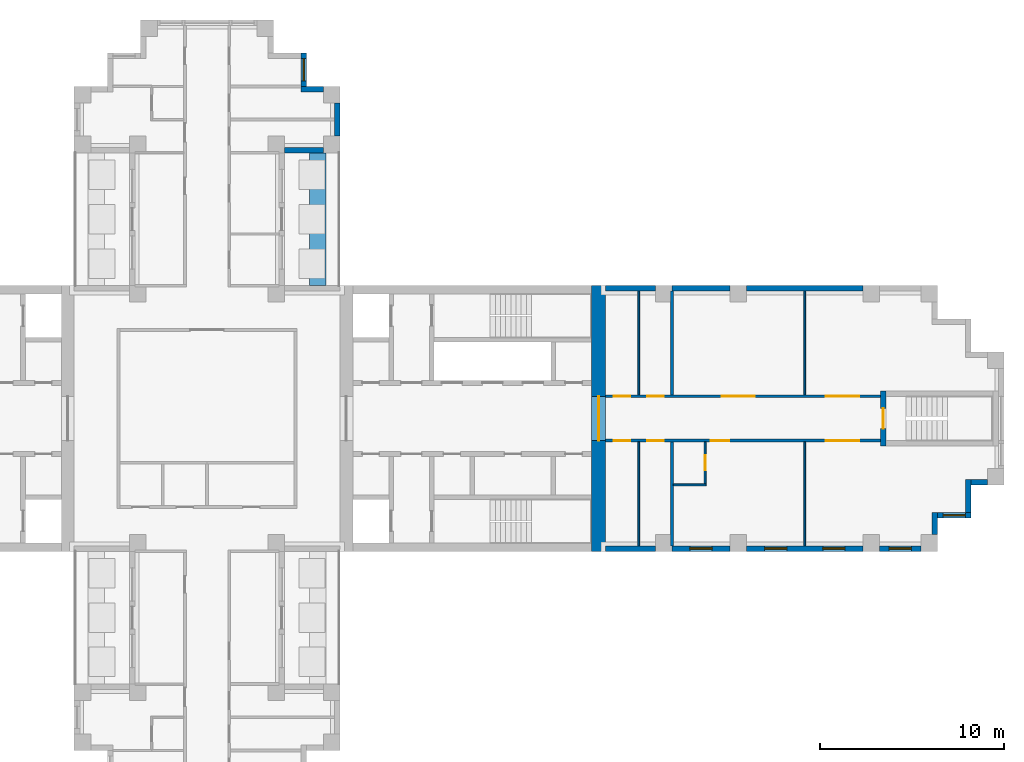
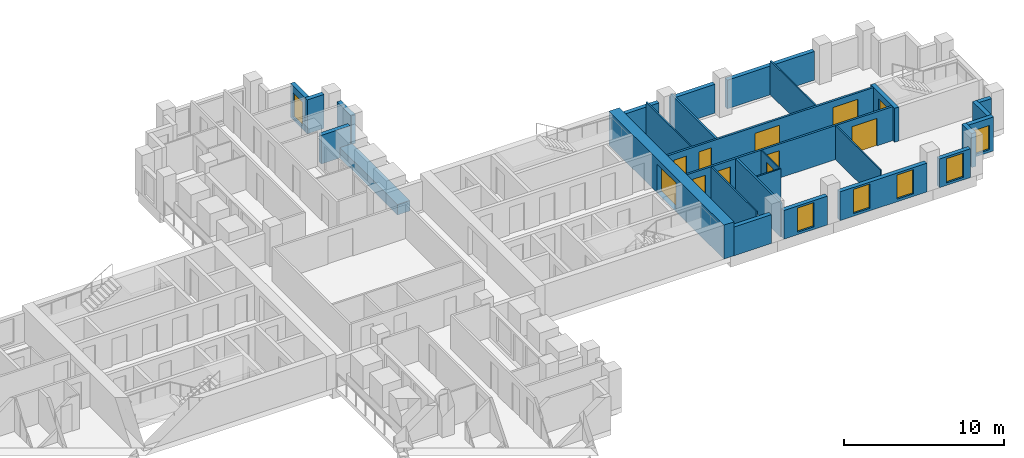
# One storey, part 8 of 11: 28 walls, 11 doors, 6 windows, 17 openings.
"""IFC4 building model written with IfcOpenShell, lengths in metres."""

from ifc_helpers import new_model, si_unit, direction, frame, frame_2d, origin, place, context, subcontext, project, spatial, rectangle, extrude, material, layer, layer_set, type_object, element, fill, save


model = new_model("IFC4")

# Units and contexts
model_context = context("Model", 3, precision=1e-05, world=origin(), true_north=direction((0.0, 1.0)))
body_context = subcontext(model_context, "Body", "Model", "MODEL_VIEW")
ifc_project = project(units=[si_unit("LENGTHUNIT", "METRE"), si_unit("AREAUNIT", "SQUARE_METRE"), si_unit("VOLUMEUNIT", "CUBIC_METRE"), si_unit("PLANEANGLEUNIT", "RADIAN"), si_unit("MASSUNIT", "GRAM", prefix="KILO")], contexts=[model_context])

# Site, building, storey
site_placement = place(None, origin())
site = spatial("IfcSite", under=ifc_project, at=site_placement, CompositionType="ELEMENT")
building_placement = place(site_placement, origin())
building = spatial("IfcBuilding", under=site, at=building_placement, Name="Fustian Cross Tower", CompositionType="ELEMENT")
storey_placement = place(building_placement, frame((0.0, 0.0, 126.300048828125)))
storey = spatial("IfcBuildingStorey", under=building, at=storey_placement, Name="L39", CompositionType="ELEMENT", Elevation=126.300048828125)

# Wall, openings, doors
ifc_material_1 = material(Name="Plasterboard on steel stud", Category="steel")
ifc_layer_1 = layer(ifc_material_1, 0.14990234375)
ifc_layer_set_1 = layer_set([ifc_layer_1], Name="Plasterboard on steel stud")
wall_type_1 = type_object("IfcWallType", Name="COMPARTMENT WALL 150 EI 60", PredefinedType="PARTITIONING", material=ifc_layer_set_1)
wall_1_placement = place(storey_placement, frame((21.60009765625, -1.199951171875, 0.0), z_axis=(0.0, 0.0, 1.0), x_axis=(1.0, 0.0, 0.0)))
wall_1 = element("IfcWall", 1, at=wall_1_placement, inside=storey, type_object=wall_type_1, Name="Partition 49", PredefinedType="PARTITIONING", context=body_context, shape_type="SweptSolid", body=[
    extrude(rectangle(XDim=14.89990234375, YDim=0.14990234375, at=frame_2d((7.449951171875, 0.0))), origin(), (0.0, 0.0, 1.0), 2.599853515625),
])
opening_1_placement = place(wall_1_placement, frame((0.449951171875, 0.0, 0.0)))
opening_1 = element("IfcOpeningElement", 2, at=opening_1_placement, cuts=wall_1, Name="Opening D18009", PredefinedType="OPENING", context=body_context, shape_type="SweptSolid", body=[
    extrude(rectangle(XDim=0.89990234375, YDim=2.10009765625, at=frame_2d((0.449951171875, 1.050048828125))), frame((0.0, 0.0849609375, 0.0), z_axis=(0.0, -1.0, 0.0), x_axis=(1.0, 0.0, 0.0)), (0.0, 0.0, 1.0), 0.169921875),
])
opening_2_placement = place(wall_1_placement, frame((2.25, 0.0, 0.0)))
opening_2 = element("IfcOpeningElement", 3, at=opening_2_placement, cuts=wall_1, Name="Opening D18010", PredefinedType="OPENING", context=body_context, shape_type="SweptSolid", body=[
    extrude(rectangle(XDim=0.89990234375, YDim=2.10009765625, at=frame_2d((0.449951171875, 1.050048828125))), frame((0.0, 0.0849609375, 0.0), z_axis=(0.0, -1.0, 0.0), x_axis=(1.0, 0.0, 0.0)), (0.0, 0.0, 1.0), 0.169921875),
])
opening_3_placement = place(wall_1_placement, frame((5.7099609375, 0.0, 0.0)))
opening_3 = element("IfcOpeningElement", 4, at=opening_3_placement, cuts=wall_1, Name="Opening D18012", PredefinedType="OPENING", context=body_context, shape_type="SweptSolid", body=[
    extrude(rectangle(XDim=1.0, YDim=2.10009765625, at=frame_2d((0.5, 1.050048828125))), frame((0.0, 0.0849609375, 0.0), z_axis=(0.0, -1.0, 0.0), x_axis=(1.0, 0.0, 0.0)), (0.0, 0.0, 1.0), 0.169921875),
])
opening_4_placement = place(wall_1_placement, frame((11.949951171875, 0.0, 0.0)))
opening_4 = element("IfcOpeningElement", 5, at=opening_4_placement, cuts=wall_1, Name="Opening D18013", PredefinedType="OPENING", context=body_context, shape_type="SweptSolid", body=[
    extrude(rectangle(XDim=1.800048828125, YDim=2.10009765625, at=frame_2d((0.89990234375, 1.050048828125))), frame((0.0, 0.0849609375, 0.0), z_axis=(0.0, -1.0, 0.0), x_axis=(1.0, 0.0, 0.0)), (0.0, 0.0, 1.0), 0.169921875),
])
ifc_material_2 = material(Name="Timber fire door set", Category="wood")
door_type_1 = type_object("IfcDoorType", Name="FIRE DOUBLE DOOR 1800 FD30S", OperationType="DOUBLE_DOOR_DOUBLE_SWING", PredefinedType="DOOR", material=ifc_material_2)
door_1_placement = place(opening_4_placement, origin())
door_1 = element("IfcDoor", 6, at=door_1_placement, inside=storey, type_object=door_type_1, Name="Door D18013", OperationType="DOUBLE_DOOR_DOUBLE_SWING", OverallHeight=2.10009765625, OverallWidth=1.800048828125, PredefinedType="DOOR", context=body_context, shape_type="SweptSolid", body=[
    extrude(rectangle(XDim=1.800048828125, YDim=2.10009765625, at=frame_2d((0.89990234375, 1.050048828125))), frame((0.0, 0.02490234375, 0.0), z_axis=(0.0, -1.0, 0.0), x_axis=(1.0, 0.0, 0.0)), (0.0, 0.0, 1.0), 0.050048828125),
])
fill(opening_4, door_1)
ifc_material_3 = material(Name="Timber fire door set", Category="wood")
door_type_2 = type_object("IfcDoorType", Name="FIRE SWING DOOR 1000 FD30S", OperationType="SINGLE_SWING_LEFT", PredefinedType="DOOR", material=ifc_material_3)
door_2_placement = place(opening_3_placement, frame((1.0, 0.0, 0.0), z_axis=(0.0, 0.0, 1.0), x_axis=(-1.0, 0.0, 0.0)))
door_2 = element("IfcDoor", 7, at=door_2_placement, inside=storey, type_object=door_type_2, Name="Door D18012", OperationType="SINGLE_SWING_RIGHT", OverallHeight=2.10009765625, OverallWidth=1.0, PredefinedType="DOOR", context=body_context, shape_type="SweptSolid", body=[
    extrude(rectangle(XDim=1.0, YDim=2.10009765625, at=frame_2d((0.5, 1.050048828125))), frame((0.0, 0.02490234375, 0.0), z_axis=(0.0, -1.0, 0.0), x_axis=(1.0, 0.0, 0.0)), (0.0, 0.0, 1.0), 0.050048828125),
])
fill(opening_3, door_2)
ifc_material_4 = material(Name="Timber fire door set", Category="wood")
door_type_3 = type_object("IfcDoorType", Name="FIRE SWING DOOR 900 FD30S", OperationType="SINGLE_SWING_LEFT", PredefinedType="DOOR", material=ifc_material_4)
door_3_placement = place(opening_1_placement, frame((0.89990234375, 0.0, 0.0), z_axis=(0.0, 0.0, 1.0), x_axis=(-1.0, 0.0, 0.0)))
door_3 = element("IfcDoor", 8, at=door_3_placement, inside=storey, type_object=door_type_3, Name="Door D18009", OperationType="SINGLE_SWING_LEFT", OverallHeight=2.10009765625, OverallWidth=0.89990234375, PredefinedType="DOOR", context=body_context, shape_type="SweptSolid", body=[
    extrude(rectangle(XDim=0.89990234375, YDim=2.10009765625, at=frame_2d((0.449951171875, 1.050048828125))), frame((0.0, 0.02490234375, 0.0), z_axis=(0.0, -1.0, 0.0), x_axis=(1.0, 0.0, 0.0)), (0.0, 0.0, 1.0), 0.050048828125),
])
fill(opening_1, door_3)
door_4_placement = place(opening_2_placement, frame((0.89990234375, 0.0, 0.0), z_axis=(0.0, 0.0, 1.0), x_axis=(-1.0, 0.0, 0.0)))
door_4 = element("IfcDoor", 9, at=door_4_placement, inside=storey, type_object=door_type_3, Name="Door D18010", OperationType="SINGLE_SWING_LEFT", OverallHeight=2.10009765625, OverallWidth=0.89990234375, PredefinedType="DOOR", context=body_context, shape_type="SweptSolid", body=[
    extrude(rectangle(XDim=0.89990234375, YDim=2.10009765625, at=frame_2d((0.449951171875, 1.050048828125))), frame((0.0, 0.02490234375, 0.0), z_axis=(0.0, -1.0, 0.0), x_axis=(1.0, 0.0, 0.0)), (0.0, 0.0, 1.0), 0.050048828125),
])
fill(opening_2, door_4)

wall_2_placement = place(storey_placement, frame((21.60009765625, 1.199951171875, 0.0), z_axis=(0.0, 0.0, 1.0), x_axis=(1.0, 0.0, 0.0)))
wall_2 = element("IfcWall", 10, at=wall_2_placement, inside=storey, type_object=wall_type_1, Name="Partition 50", PredefinedType="PARTITIONING", context=body_context, shape_type="SweptSolid", body=[
    extrude(rectangle(XDim=14.89990234375, YDim=0.14990234375, at=frame_2d((7.449951171875, 0.0))), origin(), (0.0, 0.0, 1.0), 2.599853515625),
])
opening_5_placement = place(wall_2_placement, frame((0.449951171875, 0.0, 0.0)))
opening_5 = element("IfcOpeningElement", 11, at=opening_5_placement, cuts=wall_2, Name="Opening D18005", PredefinedType="OPENING", context=body_context, shape_type="SweptSolid", body=[
    extrude(rectangle(XDim=0.89990234375, YDim=2.10009765625, at=frame_2d((0.449951171875, 1.050048828125))), frame((0.0, 0.0849609375, 0.0), z_axis=(0.0, -1.0, 0.0), x_axis=(1.0, 0.0, 0.0)), (0.0, 0.0, 1.0), 0.169921875),
])
opening_6_placement = place(wall_2_placement, frame((2.25, 0.0, 0.0)))
opening_6 = element("IfcOpeningElement", 12, at=opening_6_placement, cuts=wall_2, Name="Opening D18006", PredefinedType="OPENING", context=body_context, shape_type="SweptSolid", body=[
    extrude(rectangle(XDim=0.89990234375, YDim=2.10009765625, at=frame_2d((0.449951171875, 1.050048828125))), frame((0.0, 0.0849609375, 0.0), z_axis=(0.0, -1.0, 0.0), x_axis=(1.0, 0.0, 0.0)), (0.0, 0.0, 1.0), 0.169921875),
])
opening_7_placement = place(wall_2_placement, frame((6.300048828125, 0.0, 0.0)))
opening_7 = element("IfcOpeningElement", 13, at=opening_7_placement, cuts=wall_2, Name="Opening D18007", PredefinedType="OPENING", context=body_context, shape_type="SweptSolid", body=[
    extrude(rectangle(XDim=1.800048828125, YDim=2.10009765625, at=frame_2d((0.89990234375, 1.050048828125))), frame((0.0, 0.0849609375, 0.0), z_axis=(0.0, -1.0, 0.0), x_axis=(1.0, 0.0, 0.0)), (0.0, 0.0, 1.0), 0.169921875),
])
opening_8_placement = place(wall_2_placement, frame((11.949951171875, 0.0, 0.0)))
opening_8 = element("IfcOpeningElement", 14, at=opening_8_placement, cuts=wall_2, Name="Opening D18008", PredefinedType="OPENING", context=body_context, shape_type="SweptSolid", body=[
    extrude(rectangle(XDim=1.800048828125, YDim=2.10009765625, at=frame_2d((0.89990234375, 1.050048828125))), frame((0.0, 0.0849609375, 0.0), z_axis=(0.0, -1.0, 0.0), x_axis=(1.0, 0.0, 0.0)), (0.0, 0.0, 1.0), 0.169921875),
])
door_5_placement = place(opening_7_placement, frame((1.800048828125, 0.0, 0.0), z_axis=(0.0, 0.0, 1.0), x_axis=(-1.0, 0.0, 0.0)))
door_5 = element("IfcDoor", 15, at=door_5_placement, inside=storey, type_object=door_type_1, Name="Door D18007", OperationType="DOUBLE_DOOR_DOUBLE_SWING", OverallHeight=2.10009765625, OverallWidth=1.800048828125, PredefinedType="DOOR", context=body_context, shape_type="SweptSolid", body=[
    extrude(rectangle(XDim=1.800048828125, YDim=2.10009765625, at=frame_2d((0.89990234375, 1.050048828125))), frame((0.0, 0.02490234375, 0.0), z_axis=(0.0, -1.0, 0.0), x_axis=(1.0, 0.0, 0.0)), (0.0, 0.0, 1.0), 0.050048828125),
])
fill(opening_7, door_5)
door_6_placement = place(opening_8_placement, frame((1.800048828125, 0.0, 0.0), z_axis=(0.0, 0.0, 1.0), x_axis=(-1.0, 0.0, 0.0)))
door_6 = element("IfcDoor", 16, at=door_6_placement, inside=storey, type_object=door_type_1, Name="Door D18008", OperationType="DOUBLE_DOOR_DOUBLE_SWING", OverallHeight=2.10009765625, OverallWidth=1.800048828125, PredefinedType="DOOR", context=body_context, shape_type="SweptSolid", body=[
    extrude(rectangle(XDim=1.800048828125, YDim=2.10009765625, at=frame_2d((0.89990234375, 1.050048828125))), frame((0.0, 0.02490234375, 0.0), z_axis=(0.0, -1.0, 0.0), x_axis=(1.0, 0.0, 0.0)), (0.0, 0.0, 1.0), 0.050048828125),
])
fill(opening_8, door_6)
door_7_placement = place(opening_5_placement, origin())
door_7 = element("IfcDoor", 17, at=door_7_placement, inside=storey, type_object=door_type_3, Name="Door D18005", OperationType="SINGLE_SWING_RIGHT", OverallHeight=2.10009765625, OverallWidth=0.89990234375, PredefinedType="DOOR", context=body_context, shape_type="SweptSolid", body=[
    extrude(rectangle(XDim=0.89990234375, YDim=2.10009765625, at=frame_2d((0.449951171875, 1.050048828125))), frame((0.0, 0.02490234375, 0.0), z_axis=(0.0, -1.0, 0.0), x_axis=(1.0, 0.0, 0.0)), (0.0, 0.0, 1.0), 0.050048828125),
])
fill(opening_5, door_7)
door_8_placement = place(opening_6_placement, origin())
door_8 = element("IfcDoor", 18, at=door_8_placement, inside=storey, type_object=door_type_3, Name="Door D18006", OperationType="SINGLE_SWING_RIGHT", OverallHeight=2.10009765625, OverallWidth=0.89990234375, PredefinedType="DOOR", context=body_context, shape_type="SweptSolid", body=[
    extrude(rectangle(XDim=0.89990234375, YDim=2.10009765625, at=frame_2d((0.449951171875, 1.050048828125))), frame((0.0, 0.02490234375, 0.0), z_axis=(0.0, -1.0, 0.0), x_axis=(1.0, 0.0, 0.0)), (0.0, 0.0, 1.0), 0.050048828125),
])
fill(opening_6, door_8)

# Walls
for number, where, z_axis, x_axis, name in (
    (19, (25.199951171875, -6.89990234375, 0.0), (0.0, 0.0, 1.0), (0.0, 1.0, 0.0), "Partition 53"),
    (20, (25.199951171875, 1.27490234375, 0.0), (0.0, 0.0, 1.0), (0.0, 1.0, 0.0), "Partition 55"),
):
    element("IfcWall", number, at=place(storey_placement, frame(where, z_axis=z_axis, x_axis=x_axis)), inside=storey, type_object=wall_type_1, Name=name, PredefinedType="PARTITIONING", context=body_context, shape_type="SweptSolid", body=[
        extrude(rectangle(XDim=5.625, YDim=0.14990234375, at=frame_2d((2.8125, 0.0))), origin(), (0.0, 0.0, 1.0), 2.599853515625),
    ])

# Wall, opening, door
ifc_material_5 = material(Name="Concrete C60/75", Category="concrete")
ifc_layer_2 = layer(ifc_material_5, 0.75)
ifc_layer_set_2 = layer_set([ifc_layer_2], Name="Concrete C60/75")
wall_type_2 = type_object("IfcWallType", Name="CORE END WALL 750 C60/75", PredefinedType="SHEAR", material=ifc_layer_set_2)
wall_3_placement = place(storey_placement, frame((21.22509765625, -7.199951171875, 0.0), z_axis=(0.0, 0.0, 1.0), x_axis=(0.0, 1.0, 0.0)))
wall_3 = element("IfcWall", 21, at=wall_3_placement, inside=storey, type_object=wall_type_2, Name="Core end wall", PredefinedType="SHEAR", context=body_context, shape_type="SweptSolid", body=[
    extrude(rectangle(XDim=14.39990234375, YDim=0.75, at=frame_2d((7.199951171875, 0.0))), origin(), (0.0, 0.0, 1.0), 2.599853515625),
])
opening_9_placement = place(wall_3_placement, frame((6.0, 0.0, 0.0)))
opening_9 = element("IfcOpeningElement", 22, at=opening_9_placement, cuts=wall_3, Name="Opening CD-16-13", PredefinedType="OPENING", context=body_context, shape_type="SweptSolid", body=[
    extrude(rectangle(XDim=2.39990234375, YDim=2.199951171875, at=frame_2d((1.199951171875, 1.10009765625))), frame((0.0, 0.385009765625, 0.0), z_axis=(0.0, -1.0, 0.0), x_axis=(1.0, 0.0, 0.0)), (0.0, 0.0, 1.0), 0.77001953125),
])
ifc_material_6 = material(Name="Steel", Category="steel")
door_type_4 = type_object("IfcDoorType", Name="FIRE DOOR FD30S DOUBLE 2400X2200", OperationType="DOUBLE_DOOR_DOUBLE_SWING", PredefinedType="DOOR", material=ifc_material_6)
door_9_placement = place(opening_9_placement, origin())
door_9 = element("IfcDoor", 23, at=door_9_placement, inside=storey, type_object=door_type_4, Name="Core door CD-16-13", OperationType="DOUBLE_DOOR_DOUBLE_SWING", OverallHeight=2.199951171875, OverallWidth=2.39990234375, PredefinedType="DOOR", context=body_context, shape_type="SweptSolid", body=[
    extrude(rectangle(XDim=2.39990234375, YDim=2.199951171875, at=frame_2d((1.199951171875, 1.10009765625))), frame((0.0, 0.02490234375, 0.0), z_axis=(0.0, -1.0, 0.0), x_axis=(1.0, 0.0, 0.0)), (0.0, 0.0, 1.0), 0.050048828125),
])
fill(opening_9, door_9)

# Walls
ifc_material_7 = material(Name="Plasterboard on steel stud", Category="steel")
ifc_layer_3 = layer(ifc_material_7, 0.10009765625)
ifc_layer_set_3 = layer_set([ifc_layer_3], Name="Plasterboard on steel stud")
wall_type_3 = type_object("IfcWallType", Name="PARTITION 100 STUD", PredefinedType="PARTITIONING", material=ifc_layer_set_3)
for number, where, z_axis, x_axis, name in (
    (24, (23.39990234375, -6.89990234375, 0.0), (0.0, 0.0, 1.0), (0.0, 1.0, 0.0), "Partition 51"),
    (25, (23.39990234375, 1.27490234375, 0.0), (0.0, 0.0, 1.0), (0.0, 1.0, 0.0), "Partition 52"),
):
    element("IfcWall", number, at=place(storey_placement, frame(where, z_axis=z_axis, x_axis=x_axis)), inside=storey, type_object=wall_type_3, Name=name, PredefinedType="PARTITIONING", context=body_context, shape_type="SweptSolid", body=[
        extrude(rectangle(XDim=5.625, YDim=0.10009765625, at=frame_2d((2.8125, 0.0))), origin(), (0.0, 0.0, 1.0), 2.599853515625),
    ])
wall_4_placement = place(storey_placement, frame((25.27490234375, -3.60009765625, 0.0), z_axis=(0.0, 0.0, 1.0), x_axis=(1.0, 0.0, 0.0)))
element("IfcWall", 26, at=wall_4_placement, inside=storey, type_object=wall_type_3, Name="Partition 54", PredefinedType="PARTITIONING", context=body_context, shape_type="SweptSolid", body=[
    extrude(rectangle(XDim=1.775146484375, YDim=0.10009765625, at=frame_2d((0.8876953125, 0.0))), origin(), (0.0, 0.0, 1.0), 2.599853515625),
])

# Wall, opening, door
wall_5_placement = place(storey_placement, frame((27.0, -3.550048828125, 0.0), z_axis=(0.0, 0.0, 1.0), x_axis=(0.0, 1.0, 0.0)))
wall_5 = element("IfcWall", 27, at=wall_5_placement, inside=storey, type_object=wall_type_3, Name="Partition 56", PredefinedType="PARTITIONING", context=body_context, shape_type="SweptSolid", body=[
    extrude(rectangle(XDim=2.275146484375, YDim=0.10009765625, at=frame_2d((1.1376953125, 0.0))), origin(), (0.0, 0.0, 1.0), 2.599853515625),
])
opening_10_placement = place(wall_5_placement, frame((0.75, 0.0, 0.0)))
opening_10 = element("IfcOpeningElement", 28, at=opening_10_placement, cuts=wall_5, Name="Opening D18011", PredefinedType="OPENING", context=body_context, shape_type="SweptSolid", body=[
    extrude(rectangle(XDim=0.800048828125, YDim=2.10009765625, at=frame_2d((0.39990234375, 1.050048828125))), frame((0.0, 0.06005859375, 0.0), z_axis=(0.0, -1.0, 0.0), x_axis=(1.0, 0.0, 0.0)), (0.0, 0.0, 1.0), 0.1201171875),
])
ifc_material_8 = material(Name="Painted timber", Category="wood")
door_type_5 = type_object("IfcDoorType", Name="SWING DOOR 800", OperationType="SINGLE_SWING_LEFT", PredefinedType="DOOR", material=ifc_material_8)
door_10_placement = place(opening_10_placement, origin())
door_10 = element("IfcDoor", 29, at=door_10_placement, inside=storey, type_object=door_type_5, Name="Door D18011", OperationType="SINGLE_SWING_LEFT", OverallHeight=2.10009765625, OverallWidth=0.800048828125, PredefinedType="DOOR", context=body_context, shape_type="SweptSolid", body=[
    extrude(rectangle(XDim=0.800048828125, YDim=2.10009765625, at=frame_2d((0.39990234375, 1.050048828125))), frame((0.0, 0.02490234375, 0.0), z_axis=(0.0, -1.0, 0.0), x_axis=(1.0, 0.0, 0.0)), (0.0, 0.0, 1.0), 0.050048828125),
])
fill(opening_10, door_10)

# Walls
for number, where, z_axis, x_axis, name in (
    (30, (32.39990234375, -6.89990234375, 0.0), (0.0, 0.0, 1.0), (0.0, 1.0, 0.0), "Partition 57"),
    (31, (32.39990234375, 1.27490234375, 0.0), (0.0, 0.0, 1.0), (0.0, 1.0, 0.0), "Partition 58"),
):
    element("IfcWall", number, at=place(storey_placement, frame(where, z_axis=z_axis, x_axis=x_axis)), inside=storey, type_object=wall_type_3, Name=name, PredefinedType="PARTITIONING", context=body_context, shape_type="SweptSolid", body=[
        extrude(rectangle(XDim=5.625, YDim=0.10009765625, at=frame_2d((2.8125, 0.0))), origin(), (0.0, 0.0, 1.0), 2.599853515625),
    ])
ifc_material_9 = material(Name="Concrete C40/50", Category="concrete")
ifc_layer_4 = layer(ifc_material_9, 0.89990234375)
ifc_layer_set_4 = layer_set([ifc_layer_4], Name="Concrete C40/50")
wall_type_4 = type_object("IfcWallType", Name="PK1 PLANTER 900", PredefinedType="PARAPET", material=ifc_layer_set_4)
wall_6_placement = place(storey_placement, frame((6.0, 7.199951171875, 0.0), z_axis=(0.0, 0.0, 1.0), x_axis=(0.0, 1.0, 0.0)))
element("IfcWall", 32, at=wall_6_placement, inside=storey, type_object=wall_type_4, Name="PLANTER", PredefinedType="PARAPET", context=body_context, shape_type="SweptSolid", body=[
    extrude(rectangle(XDim=7.199951171875, YDim=0.89990234375, at=frame_2d((3.60009765625, 0.0))), origin(), (0.0, 0.0, 1.0), 0.800048828125),
])

# Wall, opening, door
ifc_material_10 = material(Name="Concrete C50/60", Category="concrete")
ifc_layer_5 = layer(ifc_material_10, 0.300048828125)
ifc_layer_set_5 = layer_set([ifc_layer_5], Name="Concrete C50/60")
wall_type_5 = type_object("IfcWallType", Name="STAIR ENCLOSURE WALL 300 C50/60", PredefinedType="SHEAR", material=ifc_layer_set_5)
wall_7_placement = place(storey_placement, frame((36.64990234375, -1.5, 0.0), z_axis=(0.0, 0.0, 1.0), x_axis=(0.0, 1.0, 0.0)))
wall_7 = element("IfcWall", 33, at=wall_7_placement, inside=storey, type_object=wall_type_5, Name="Stair enclosure wall", PredefinedType="SHEAR", context=body_context, shape_type="SweptSolid", body=[
    extrude(rectangle(XDim=3.0, YDim=0.300048828125, at=frame_2d((1.5, 0.0))), origin(), (0.0, 0.0, 1.0), 2.599853515625),
])
opening_11_placement = place(wall_7_placement, frame((0.949951171875, 0.0, 0.0)))
opening_11 = element("IfcOpeningElement", 34, at=opening_11_placement, cuts=wall_7, Name="Opening CD-16-35", PredefinedType="OPENING", context=body_context, shape_type="SweptSolid", body=[
    extrude(rectangle(XDim=1.10009765625, YDim=2.10009765625, at=frame_2d((0.550048828125, 1.050048828125))), frame((0.0, 0.159912109375, 0.0), z_axis=(0.0, -1.0, 0.0), x_axis=(1.0, 0.0, 0.0)), (0.0, 0.0, 1.0), 0.320068359375),
])
ifc_material_11 = material(Name="Steel", Category="steel")
door_type_6 = type_object("IfcDoorType", Name="FIRE DOOR FD60S 1100X2100", OperationType="SINGLE_SWING_LEFT", PredefinedType="DOOR", material=ifc_material_11)
door_11_placement = place(opening_11_placement, frame((1.10009765625, 0.0, 0.0), z_axis=(0.0, 0.0, 1.0), x_axis=(-1.0, 0.0, 0.0)))
door_11 = element("IfcDoor", 35, at=door_11_placement, inside=storey, type_object=door_type_6, Name="Core door CD-16-35", OperationType="SINGLE_SWING_RIGHT", OverallHeight=2.10009765625, OverallWidth=1.10009765625, PredefinedType="DOOR", context=body_context, shape_type="SweptSolid", body=[
    extrude(rectangle(XDim=1.10009765625, YDim=2.10009765625, at=frame_2d((0.550048828125, 1.050048828125))), frame((0.0, 0.02490234375, 0.0), z_axis=(0.0, -1.0, 0.0), x_axis=(1.0, 0.0, 0.0)), (0.0, 0.0, 1.0), 0.050048828125),
])
fill(opening_11, door_11)

# Wall
ifc_material_12 = material(Name="Dark aluminium cladding on insulated backing wall", Category="aluminium")
ifc_layer_6 = layer(ifc_material_12, 0.300048828125)
ifc_layer_set_6 = layer_set([ifc_layer_6], Name="Dark aluminium cladding on insulated backing wall")
wall_type_6 = type_object("IfcWallType", Name="XW1 EXTERNAL WALL 300", PredefinedType="SOLIDWALL", material=ifc_layer_set_6)
wall_8_placement = place(storey_placement, frame((21.60009765625, -7.050048828125, 0.0), z_axis=(0.0, 0.0, 1.0), x_axis=(1.0, 0.0, 0.0)))
element("IfcWall", 36, at=wall_8_placement, inside=storey, type_object=wall_type_6, Name="External wall", PredefinedType="SOLIDWALL", context=body_context, shape_type="SweptSolid", body=[
    extrude(rectangle(XDim=2.699951171875, YDim=0.300048828125, at=frame_2d((1.35009765625, 0.0))), origin(), (0.0, 0.0, 1.0), 2.199951171875),
])

# Wall, opening, window
wall_9_placement = place(storey_placement, frame((25.199951171875, -7.050048828125, 0.0), z_axis=(0.0, 0.0, 1.0), x_axis=(1.0, 0.0, 0.0)))
wall_9 = element("IfcWall", 37, at=wall_9_placement, inside=storey, type_object=wall_type_6, Name="External wall", PredefinedType="SOLIDWALL", context=body_context, shape_type="SweptSolid", body=[
    extrude(rectangle(XDim=3.150146484375, YDim=0.300048828125, at=frame_2d((1.5751953125, 0.0))), origin(), (0.0, 0.0, 1.0), 2.199951171875),
])
opening_12_placement = place(wall_9_placement, frame((0.97509765625, 0.0, 0.199951171875)))
opening_12 = element("IfcOpeningElement", 38, at=opening_12_placement, cuts=wall_9, Name="Opening WN3", PredefinedType="OPENING", context=body_context, shape_type="SweptSolid", body=[
    extrude(rectangle(XDim=1.199951171875, YDim=1.85009765625, at=frame_2d((0.60009765625, 0.925048828125))), frame((0.0, 0.159912109375, 0.0), z_axis=(0.0, -1.0, 0.0), x_axis=(1.0, 0.0, 0.0)), (0.0, 0.0, 1.0), 0.320068359375),
])
ifc_material_13 = material(Name="Dark anodised aluminium and double glazing", Category="aluminium")
window_type = type_object("IfcWindowType", Name="WN3 WINDOW 1200X1850", PartitioningType="SINGLE_PANEL", PredefinedType="WINDOW", material=ifc_material_13)
window_1_placement = place(opening_12_placement, origin())
window_1 = element("IfcWindow", 39, at=window_1_placement, inside=storey, type_object=window_type, Name="Window", OverallHeight=1.85009765625, OverallWidth=1.199951171875, PartitioningType="SINGLE_PANEL", PredefinedType="WINDOW", context=body_context, shape_type="SweptSolid", body=[
    extrude(rectangle(XDim=1.199951171875, YDim=1.85009765625, at=frame_2d((0.60009765625, 0.925048828125))), frame((0.0, 0.030029296875, 0.0), z_axis=(0.0, -1.0, 0.0), x_axis=(1.0, 0.0, 0.0)), (0.0, 0.0, 1.0), 0.06005859375),
])
fill(opening_12, window_1)

# Wall, openings, windows
wall_10_placement = place(storey_placement, frame((29.25, -7.050048828125, 0.0), z_axis=(0.0, 0.0, 1.0), x_axis=(1.0, 0.0, 0.0)))
wall_10 = element("IfcWall", 40, at=wall_10_placement, inside=storey, type_object=wall_type_6, Name="External wall", PredefinedType="SOLIDWALL", context=body_context, shape_type="SweptSolid", body=[
    extrude(rectangle(XDim=6.300048828125, YDim=0.300048828125, at=frame_2d((3.14990234375, 0.0))), origin(), (0.0, 0.0, 1.0), 2.199951171875),
])
opening_13_placement = place(wall_10_placement, frame((0.97509765625, 0.0, 0.199951171875)))
opening_13 = element("IfcOpeningElement", 41, at=opening_13_placement, cuts=wall_10, Name="Opening WN3", PredefinedType="OPENING", context=body_context, shape_type="SweptSolid", body=[
    extrude(rectangle(XDim=1.199951171875, YDim=1.85009765625, at=frame_2d((0.60009765625, 0.925048828125))), frame((0.0, 0.159912109375, 0.0), z_axis=(0.0, -1.0, 0.0), x_axis=(1.0, 0.0, 0.0)), (0.0, 0.0, 1.0), 0.320068359375),
])
opening_14_placement = place(wall_10_placement, frame((4.125, 0.0, 0.199951171875)))
opening_14 = element("IfcOpeningElement", 42, at=opening_14_placement, cuts=wall_10, Name="Opening WN3", PredefinedType="OPENING", context=body_context, shape_type="SweptSolid", body=[
    extrude(rectangle(XDim=1.199951171875, YDim=1.85009765625, at=frame_2d((0.60009765625, 0.925048828125))), frame((0.0, 0.159912109375, 0.0), z_axis=(0.0, -1.0, 0.0), x_axis=(1.0, 0.0, 0.0)), (0.0, 0.0, 1.0), 0.320068359375),
])
window_2_placement = place(opening_13_placement, origin())
window_2 = element("IfcWindow", 43, at=window_2_placement, inside=storey, type_object=window_type, Name="Window", OverallHeight=1.85009765625, OverallWidth=1.199951171875, PartitioningType="SINGLE_PANEL", PredefinedType="WINDOW", context=body_context, shape_type="SweptSolid", body=[
    extrude(rectangle(XDim=1.199951171875, YDim=1.85009765625, at=frame_2d((0.60009765625, 0.925048828125))), frame((0.0, 0.030029296875, 0.0), z_axis=(0.0, -1.0, 0.0), x_axis=(1.0, 0.0, 0.0)), (0.0, 0.0, 1.0), 0.06005859375),
])
fill(opening_13, window_2)
window_3_placement = place(opening_14_placement, origin())
window_3 = element("IfcWindow", 44, at=window_3_placement, inside=storey, type_object=window_type, Name="Window", OverallHeight=1.85009765625, OverallWidth=1.199951171875, PartitioningType="SINGLE_PANEL", PredefinedType="WINDOW", context=body_context, shape_type="SweptSolid", body=[
    extrude(rectangle(XDim=1.199951171875, YDim=1.85009765625, at=frame_2d((0.60009765625, 0.925048828125))), frame((0.0, 0.030029296875, 0.0), z_axis=(0.0, -1.0, 0.0), x_axis=(1.0, 0.0, 0.0)), (0.0, 0.0, 1.0), 0.06005859375),
])
fill(opening_14, window_3)

# Wall, opening, window
wall_11_placement = place(storey_placement, frame((36.449951171875, -7.050048828125, 0.0), z_axis=(0.0, 0.0, 1.0), x_axis=(1.0, 0.0, 0.0)))
wall_11 = element("IfcWall", 45, at=wall_11_placement, inside=storey, type_object=wall_type_6, Name="External wall", PredefinedType="SOLIDWALL", context=body_context, shape_type="SweptSolid", body=[
    extrude(rectangle(XDim=2.25, YDim=0.300048828125, at=frame_2d((1.125, 0.0))), origin(), (0.0, 0.0, 1.0), 2.199951171875),
])
opening_15_placement = place(wall_11_placement, frame((0.52490234375, 0.0, 0.199951171875)))
opening_15 = element("IfcOpeningElement", 46, at=opening_15_placement, cuts=wall_11, Name="Opening WN3", PredefinedType="OPENING", context=body_context, shape_type="SweptSolid", body=[
    extrude(rectangle(XDim=1.199951171875, YDim=1.85009765625, at=frame_2d((0.60009765625, 0.925048828125))), frame((0.0, 0.159912109375, 0.0), z_axis=(0.0, -1.0, 0.0), x_axis=(1.0, 0.0, 0.0)), (0.0, 0.0, 1.0), 0.320068359375),
])
window_4_placement = place(opening_15_placement, origin())
window_4 = element("IfcWindow", 47, at=window_4_placement, inside=storey, type_object=window_type, Name="Window", OverallHeight=1.85009765625, OverallWidth=1.199951171875, PartitioningType="SINGLE_PANEL", PredefinedType="WINDOW", context=body_context, shape_type="SweptSolid", body=[
    extrude(rectangle(XDim=1.199951171875, YDim=1.85009765625, at=frame_2d((0.60009765625, 0.925048828125))), frame((0.0, 0.030029296875, 0.0), z_axis=(0.0, -1.0, 0.0), x_axis=(1.0, 0.0, 0.0)), (0.0, 0.0, 1.0), 0.06005859375),
])
fill(opening_15, window_4)

# Wall
wall_12_placement = place(storey_placement, frame((39.449951171875, -6.300048828125, 0.0), z_axis=(0.0, 0.0, 1.0), x_axis=(0.0, 1.0, 0.0)))
element("IfcWall", 48, at=wall_12_placement, inside=storey, type_object=wall_type_6, Name="External wall", PredefinedType="SOLIDWALL", context=body_context, shape_type="SweptSolid", body=[
    extrude(rectangle(XDim=1.199951171875, YDim=0.300048828125, at=frame_2d((0.60009765625, 0.0))), origin(), (0.0, 0.0, 1.0), 2.599853515625),
])

# Wall, opening, window
wall_13_placement = place(storey_placement, frame((39.60009765625, -5.25, 0.0), z_axis=(0.0, 0.0, 1.0), x_axis=(1.0, 0.0, 0.0)))
wall_13 = element("IfcWall", 49, at=wall_13_placement, inside=storey, type_object=wall_type_6, Name="External wall", PredefinedType="SOLIDWALL", context=body_context, shape_type="SweptSolid", body=[
    extrude(rectangle(XDim=1.7998046875, YDim=0.300048828125, at=frame_2d((0.89990234375, 0.0))), origin(), (0.0, 0.0, 1.0), 2.599853515625),
])
opening_16_placement = place(wall_13_placement, frame((0.300048828125, 0.0, 0.199951171875)))
opening_16 = element("IfcOpeningElement", 50, at=opening_16_placement, cuts=wall_13, Name="Opening WN3", PredefinedType="OPENING", context=body_context, shape_type="SweptSolid", body=[
    extrude(rectangle(XDim=1.199951171875, YDim=1.85009765625, at=frame_2d((0.60009765625, 0.925048828125))), frame((0.0, 0.159912109375, 0.0), z_axis=(0.0, -1.0, 0.0), x_axis=(1.0, 0.0, 0.0)), (0.0, 0.0, 1.0), 0.320068359375),
])
window_5_placement = place(opening_16_placement, origin())
window_5 = element("IfcWindow", 51, at=window_5_placement, inside=storey, type_object=window_type, Name="Window", OverallHeight=1.85009765625, OverallWidth=1.199951171875, PartitioningType="SINGLE_PANEL", PredefinedType="WINDOW", context=body_context, shape_type="SweptSolid", body=[
    extrude(rectangle(XDim=1.199951171875, YDim=1.85009765625, at=frame_2d((0.60009765625, 0.925048828125))), frame((0.0, 0.030029296875, 0.0), z_axis=(0.0, -1.0, 0.0), x_axis=(1.0, 0.0, 0.0)), (0.0, 0.0, 1.0), 0.06005859375),
])
fill(opening_16, window_5)

# Walls
wall_14_placement = place(storey_placement, frame((41.25, -5.10009765625, 0.0), z_axis=(0.0, 0.0, 1.0), x_axis=(0.0, 1.0, 0.0)))
element("IfcWall", 52, at=wall_14_placement, inside=storey, type_object=wall_type_6, Name="External wall", PredefinedType="SOLIDWALL", context=body_context, shape_type="SweptSolid", body=[
    extrude(rectangle(XDim=1.800048828125, YDim=0.300048828125, at=frame_2d((0.89990234375, 0.0))), origin(), (0.0, 0.0, 1.0), 2.599853515625),
])
wall_15_placement = place(storey_placement, frame((41.39990234375, -3.449951171875, 0.0), z_axis=(0.0, 0.0, 1.0), x_axis=(1.0, 0.0, 0.0)))
element("IfcWall", 53, at=wall_15_placement, inside=storey, type_object=wall_type_6, Name="External wall", PredefinedType="SOLIDWALL", context=body_context, shape_type="SweptSolid", body=[
    extrude(rectangle(XDim=0.900146484375, YDim=0.300048828125, at=frame_2d((0.4501953125, 0.0))), origin(), (0.0, 0.0, 1.0), 2.599853515625),
])
wall_16_placement = place(storey_placement, frame((35.550048828125, 7.050048828125, 0.0), z_axis=(0.0, 0.0, 1.0), x_axis=(-1.0, 0.0, 0.0)))
element("IfcWall", 54, at=wall_16_placement, inside=storey, type_object=wall_type_6, Name="External wall", PredefinedType="SOLIDWALL", context=body_context, shape_type="SweptSolid", body=[
    extrude(rectangle(XDim=6.300048828125, YDim=0.300048828125, at=frame_2d((3.14990234375, 0.0))), origin(), (0.0, 0.0, 1.0), 2.199951171875),
])
wall_17_placement = place(storey_placement, frame((28.35009765625, 7.050048828125, 0.0), z_axis=(0.0, 0.0, 1.0), x_axis=(-1.0, 0.0, 0.0)))
element("IfcWall", 55, at=wall_17_placement, inside=storey, type_object=wall_type_6, Name="External wall", PredefinedType="SOLIDWALL", context=body_context, shape_type="SweptSolid", body=[
    extrude(rectangle(XDim=3.150146484375, YDim=0.300048828125, at=frame_2d((1.5751953125, 0.0))), origin(), (0.0, 0.0, 1.0), 2.199951171875),
])
wall_18_placement = place(storey_placement, frame((24.300048828125, 7.050048828125, 0.0), z_axis=(0.0, 0.0, 1.0), x_axis=(-1.0, 0.0, 0.0)))
element("IfcWall", 56, at=wall_18_placement, inside=storey, type_object=wall_type_6, Name="External wall", PredefinedType="SOLIDWALL", context=body_context, shape_type="SweptSolid", body=[
    extrude(rectangle(XDim=2.699951171875, YDim=0.300048828125, at=frame_2d((1.35009765625, 0.0))), origin(), (0.0, 0.0, 1.0), 2.199951171875),
])
wall_19_placement = place(storey_placement, frame((4.199951171875, 14.550048828125, 0.0), z_axis=(0.0, 0.0, 1.0), x_axis=(1.0, 0.0, 0.0)))
element("IfcWall", 57, at=wall_19_placement, inside=storey, type_object=wall_type_6, Name="External wall", PredefinedType="SOLIDWALL", context=body_context, shape_type="SweptSolid", body=[
    extrude(rectangle(XDim=2.10009765625, YDim=0.300048828125, at=frame_2d((1.050048828125, 0.0))), origin(), (0.0, 0.0, 1.0), 2.199951171875),
])
wall_20_placement = place(storey_placement, frame((7.050048828125, 15.300048828125, 0.0), z_axis=(0.0, 0.0, 1.0), x_axis=(0.0, 1.0, 0.0)))
element("IfcWall", 58, at=wall_20_placement, inside=storey, type_object=wall_type_6, Name="External wall", PredefinedType="SOLIDWALL", context=body_context, shape_type="SweptSolid", body=[
    extrude(rectangle(XDim=1.800048828125, YDim=0.300048828125, at=frame_2d((0.89990234375, 0.0))), origin(), (0.0, 0.0, 1.0), 2.199951171875),
])
wall_21_placement = place(storey_placement, frame((6.300048828125, 17.85009765625, 0.0), z_axis=(0.0, 0.0, 1.0), x_axis=(-1.0, 0.0, 0.0)))
element("IfcWall", 59, at=wall_21_placement, inside=storey, type_object=wall_type_6, Name="External wall", PredefinedType="SOLIDWALL", context=body_context, shape_type="SweptSolid", body=[
    extrude(rectangle(XDim=1.199951171875, YDim=0.300048828125, at=frame_2d((0.60009765625, 0.0))), origin(), (0.0, 0.0, 1.0), 2.599853515625),
])

# Wall, opening, window
wall_22_placement = place(storey_placement, frame((5.25, 18.0, 0.0), z_axis=(0.0, 0.0, 1.0), x_axis=(0.0, 1.0, 0.0)))
wall_22 = element("IfcWall", 60, at=wall_22_placement, inside=storey, type_object=wall_type_6, Name="External wall", PredefinedType="SOLIDWALL", context=body_context, shape_type="SweptSolid", body=[
    extrude(rectangle(XDim=1.800048828125, YDim=0.300048828125, at=frame_2d((0.89990234375, 0.0))), origin(), (0.0, 0.0, 1.0), 2.599853515625),
])
opening_17_placement = place(wall_22_placement, frame((0.300048828125, 0.0, 0.199951171875)))
opening_17 = element("IfcOpeningElement", 61, at=opening_17_placement, cuts=wall_22, Name="Opening WN3", PredefinedType="OPENING", context=body_context, shape_type="SweptSolid", body=[
    extrude(rectangle(XDim=1.199951171875, YDim=1.85009765625, at=frame_2d((0.60009765625, 0.925048828125))), frame((0.0, 0.159912109375, 0.0), z_axis=(0.0, -1.0, 0.0), x_axis=(1.0, 0.0, 0.0)), (0.0, 0.0, 1.0), 0.320068359375),
])
window_6_placement = place(opening_17_placement, origin())
window_6 = element("IfcWindow", 62, at=window_6_placement, inside=storey, type_object=window_type, Name="Window", OverallHeight=1.85009765625, OverallWidth=1.199951171875, PartitioningType="SINGLE_PANEL", PredefinedType="WINDOW", context=body_context, shape_type="SweptSolid", body=[
    extrude(rectangle(XDim=1.199951171875, YDim=1.85009765625, at=frame_2d((0.60009765625, 0.925048828125))), frame((0.0, 0.030029296875, 0.0), z_axis=(0.0, -1.0, 0.0), x_axis=(1.0, 0.0, 0.0)), (0.0, 0.0, 1.0), 0.06005859375),
])
fill(opening_17, window_6)

save(model, "model.ifc")
